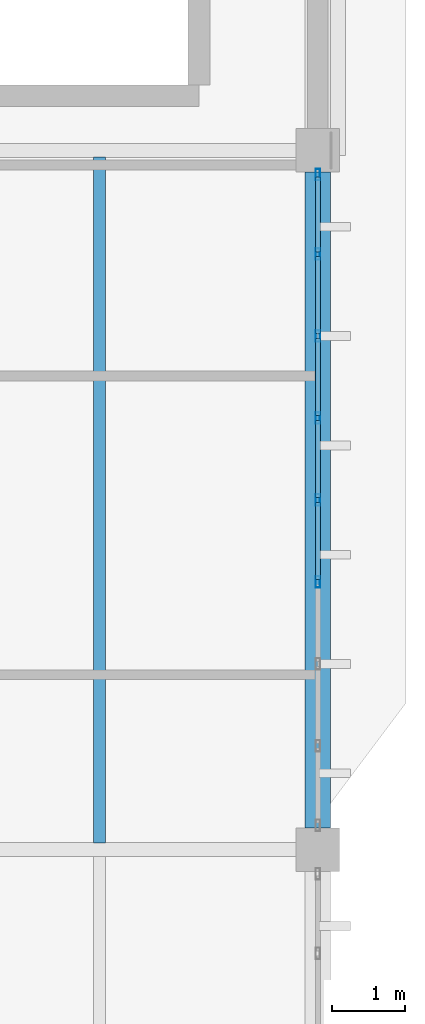
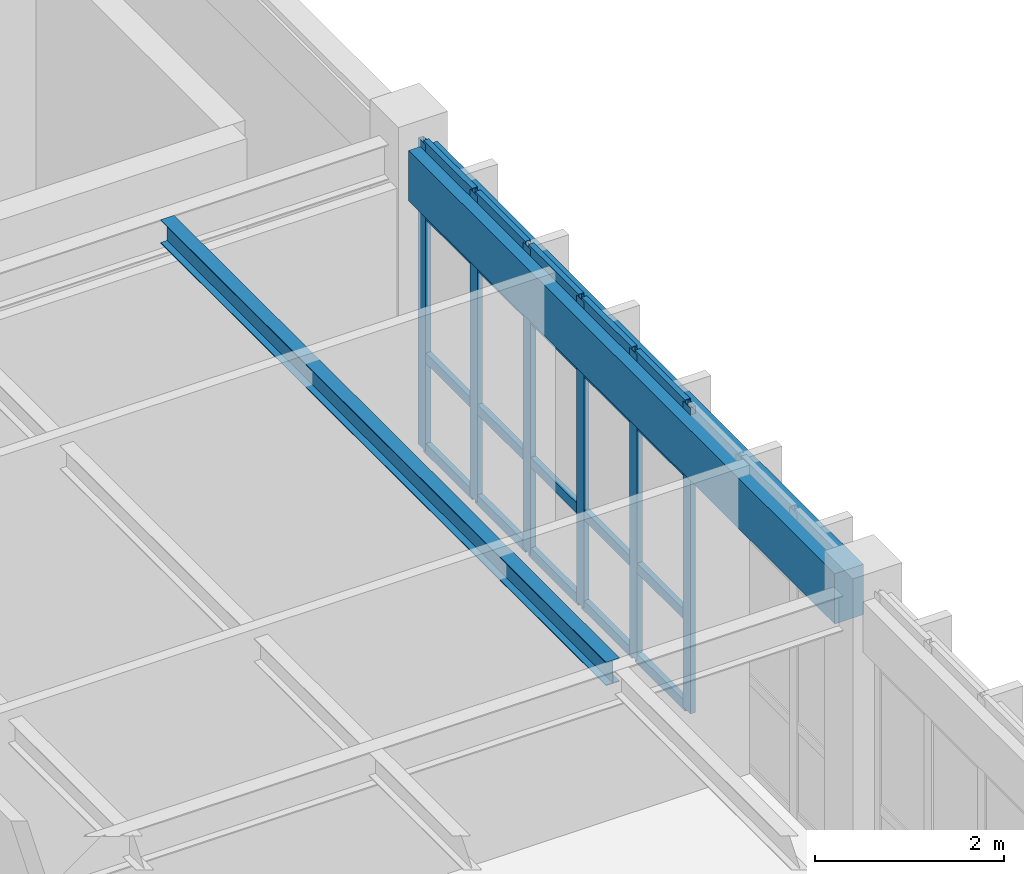
# One storey, part 18 of 28: 26 members, 2 beams, 1 element without a shape of its own.
"""IFC4 building model written with IfcOpenShell, lengths in metres."""

from ifc_helpers import new_model, si_unit, direction, frame, origin, origin_2d, place, context, subcontext, project, spatial, rectangle, hollow_rectangle, i_section, extrude, material, layer, layer_set, material_profile, profile_set, type_object, element, aggregate, save


model = new_model("IFC4")

# Units and contexts
model_context = context("Model", 3, precision=1e-05, world=origin(), true_north=direction((0.0, 1.0)))
body_context = subcontext(model_context, "Body", "Model", "MODEL_VIEW")
ifc_project = project(units=[si_unit("LENGTHUNIT", "METRE"), si_unit("AREAUNIT", "SQUARE_METRE"), si_unit("VOLUMEUNIT", "CUBIC_METRE"), si_unit("PLANEANGLEUNIT", "RADIAN"), si_unit("MASSUNIT", "GRAM", prefix="KILO")], contexts=[model_context])

# Site, building, storey
site_placement = place(None, origin())
site = spatial("IfcSite", under=ifc_project, at=site_placement, CompositionType="ELEMENT")
building_placement = place(site_placement, origin())
building = spatial("IfcBuilding", under=site, at=building_placement, Name="Pandanus Reach Market Hall", CompositionType="ELEMENT")
storey_placement = place(building_placement, frame((0.0, 0.0, 18.60009765625)))
storey = spatial("IfcBuildingStorey", under=building, at=storey_placement, Name="L04", CompositionType="ELEMENT", Elevation=18.60009765625)

# Beam
ifc_material_1 = material(Name="Concrete N40 (40 MPa)", Category="concrete")
ifc_material_profile_1 = material_profile(ifc_material_1, rectangle(XDim=0.35009765625, YDim=0.64990234375, at=origin_2d()), Name="RC350x650", Category="LoadBearing")
ifc_profile_set_1 = profile_set([ifc_material_profile_1], Name="Concrete N40 (40 MPa)")
beam_type_1 = type_object("IfcBeamType", Name="BM-RC350-E", PredefinedType="SPANDREL", material=ifc_profile_set_1)
beam_1_placement = place(storey_placement, frame((180.0, 57.89794921875, 3.534912109375), z_axis=(0.0, 1.0, 0.0), x_axis=(-1.0, 0.0, 0.0)))
element("IfcBeam", 1, at=beam_1_placement, inside=storey, type_object=beam_type_1, Name="Framing beam BM-RC350-E L04.635", PredefinedType="SPANDREL", context=body_context, shape_type="SweptSolid", body=[
    extrude(rectangle(XDim=0.35009765625, YDim=0.64990234375, at=origin_2d()), origin(), (0.0, 0.0, 1.0), 9.004150390625),
])

# Curtain wall, members
ifc_material_2 = material(Name="Bronze anodised aluminium and low-E glass", Category="aluminium")
ifc_layer = layer(ifc_material_2, 0.159912109375, Name="CW-36")
ifc_layer_set = layer_set([ifc_layer], Name="Bronze anodised aluminium and low-E glass")
curtain_wall_type = type_object("IfcCurtainWallType", Name="CW-36", PredefinedType="NOTDEFINED", material=ifc_layer_set)
curtain_wall_placement = place(storey_placement, origin())
curtain_wall = element("IfcCurtainWall", 2, at=curtain_wall_placement, inside=storey, type_object=curtain_wall_type, Name="Glazed curtain wall CW-36 CW-0132", PredefinedType="NOTDEFINED")
ifc_material_3 = material(Name="Bronze anodised aluminium", Category="aluminium")
ifc_material_profile_2 = material_profile(ifc_material_3, hollow_rectangle(XDim=0.06494140625, YDim=0.159912109375, WallThickness=0.00390625, at=origin_2d()), Name="ALU65x160", Category="LoadBearing")
ifc_profile_set_2 = profile_set([ifc_material_profile_2], Name="Bronze anodised aluminium")
member_type_1 = type_object("IfcMemberType", Name="CW-M1", PredefinedType="MULLION", material=ifc_profile_set_2)
member_1_placement = place(storey_placement, frame((180.0, 61.27490234375, 0.0), z_axis=(0.0, 0.0, 1.0), x_axis=(-1.0, 0.0, 0.0)))
member_1 = element("IfcMember", 3, at=member_1_placement, type_object=member_type_1, Name="CW-36 mullion 4", PredefinedType="MULLION", context=body_context, shape_type="SweptSolid", body=[
    extrude(hollow_rectangle(XDim=0.06494140625, YDim=0.159912109375, WallThickness=0.00390625, at=origin_2d()), origin(), (0.0, 0.0, 1.0), 3.949951171875),
])
member_2_placement = place(storey_placement, frame((180.0, 62.39990234375, 0.0), z_axis=(0.0, 0.0, 1.0), x_axis=(-1.0, 0.0, 0.0)))
member_2 = element("IfcMember", 4, at=member_2_placement, type_object=member_type_1, Name="CW-36 mullion 5", PredefinedType="MULLION", context=body_context, shape_type="SweptSolid", body=[
    extrude(hollow_rectangle(XDim=0.06494140625, YDim=0.159912109375, WallThickness=0.00390625, at=origin_2d()), origin(), (0.0, 0.0, 1.0), 3.949951171875),
])
member_3_placement = place(storey_placement, frame((180.0, 63.52490234375, 0.0), z_axis=(0.0, 0.0, 1.0), x_axis=(-1.0, 0.0, 0.0)))
member_3 = element("IfcMember", 5, at=member_3_placement, type_object=member_type_1, Name="CW-36 mullion 6", PredefinedType="MULLION", context=body_context, shape_type="SweptSolid", body=[
    extrude(hollow_rectangle(XDim=0.06494140625, YDim=0.159912109375, WallThickness=0.00390625, at=origin_2d()), origin(), (0.0, 0.0, 1.0), 3.949951171875),
])
member_4_placement = place(storey_placement, frame((180.0, 64.64990234375, 0.0), z_axis=(0.0, 0.0, 1.0), x_axis=(-1.0, 0.0, 0.0)))
member_4 = element("IfcMember", 6, at=member_4_placement, type_object=member_type_1, Name="CW-36 mullion 7", PredefinedType="MULLION", context=body_context, shape_type="SweptSolid", body=[
    extrude(hollow_rectangle(XDim=0.06494140625, YDim=0.159912109375, WallThickness=0.00390625, at=origin_2d()), origin(), (0.0, 0.0, 1.0), 3.949951171875),
])
member_5_placement = place(storey_placement, frame((180.0, 65.77490234375, 0.0), z_axis=(0.0, 0.0, 1.0), x_axis=(-1.0, 0.0, 0.0)))
member_5 = element("IfcMember", 7, at=member_5_placement, type_object=member_type_1, Name="CW-36 mullion 8", PredefinedType="MULLION", context=body_context, shape_type="SweptSolid", body=[
    extrude(hollow_rectangle(XDim=0.06494140625, YDim=0.159912109375, WallThickness=0.00390625, at=origin_2d()), origin(), (0.0, 0.0, 1.0), 3.949951171875),
])
member_6_placement = place(storey_placement, frame((180.0, 66.867431640625, 0.0), z_axis=(0.0, 0.0, 1.0), x_axis=(-1.0, 0.0, 0.0)))
member_6 = element("IfcMember", 8, at=member_6_placement, type_object=member_type_1, Name="CW-36 mullion 9", PredefinedType="MULLION", context=body_context, shape_type="SweptSolid", body=[
    extrude(hollow_rectangle(XDim=0.06494140625, YDim=0.159912109375, WallThickness=0.00390625, at=origin_2d()), origin(), (0.0, 0.0, 1.0), 3.949951171875),
])
ifc_material_profile_3 = material_profile(ifc_material_3, hollow_rectangle(XDim=0.06494140625, YDim=0.1298828125, WallThickness=0.00390625, at=origin_2d()), Name="ALU65x130", Category="LoadBearing")
ifc_profile_set_3 = profile_set([ifc_material_profile_3], Name="Bronze anodised aluminium")
member_type_2 = type_object("IfcMemberType", Name="CW-T1", PredefinedType="USERDEFINED", material=ifc_profile_set_3)
member_7_placement = place(storey_placement, frame((180.0, 61.3076171875, 0.032470703125), z_axis=(0.0, 1.0, 0.0), x_axis=(-1.0, 0.0, 0.0)))
member_7 = element("IfcMember", 9, at=member_7_placement, type_object=member_type_2, Name="CW-36 transom 4.1", ObjectType="TRANSOM", PredefinedType="USERDEFINED", context=body_context, shape_type="SweptSolid", body=[
    extrude(hollow_rectangle(XDim=0.06494140625, YDim=0.1298828125, WallThickness=0.00390625, at=origin_2d()), origin(), (0.0, 0.0, 1.0), 1.059814453125),
])
member_8_placement = place(storey_placement, frame((180.0, 61.3076171875, 1.199951171875), z_axis=(0.0, 1.0, 0.0), x_axis=(-1.0, 0.0, 0.0)))
member_8 = element("IfcMember", 10, at=member_8_placement, type_object=member_type_2, Name="CW-36 transom 4.2", ObjectType="TRANSOM", PredefinedType="USERDEFINED", context=body_context, shape_type="SweptSolid", body=[
    extrude(hollow_rectangle(XDim=0.06494140625, YDim=0.1298828125, WallThickness=0.00390625, at=origin_2d()), origin(), (0.0, 0.0, 1.0), 1.059814453125),
])
member_9_placement = place(storey_placement, frame((180.0, 61.3076171875, 3.0498046875), z_axis=(0.0, 1.0, 0.0), x_axis=(-1.0, 0.0, 0.0)))
member_9 = element("IfcMember", 11, at=member_9_placement, type_object=member_type_2, Name="CW-36 transom 4.3", ObjectType="TRANSOM", PredefinedType="USERDEFINED", context=body_context, shape_type="SweptSolid", body=[
    extrude(hollow_rectangle(XDim=0.06494140625, YDim=0.1298828125, WallThickness=0.00390625, at=origin_2d()), origin(), (0.0, 0.0, 1.0), 1.059814453125),
])
member_10_placement = place(storey_placement, frame((180.0, 61.3076171875, 3.91748046875), z_axis=(0.0, 1.0, 0.0), x_axis=(-1.0, 0.0, 0.0)))
member_10 = element("IfcMember", 12, at=member_10_placement, type_object=member_type_2, Name="CW-36 transom 4.4", ObjectType="TRANSOM", PredefinedType="USERDEFINED", context=body_context, shape_type="SweptSolid", body=[
    extrude(hollow_rectangle(XDim=0.06494140625, YDim=0.1298828125, WallThickness=0.00390625, at=origin_2d()), origin(), (0.0, 0.0, 1.0), 1.059814453125),
])
member_11_placement = place(storey_placement, frame((180.0, 62.4326171875, 0.032470703125), z_axis=(0.0, 1.0, 0.0), x_axis=(-1.0, 0.0, 0.0)))
member_11 = element("IfcMember", 13, at=member_11_placement, type_object=member_type_2, Name="CW-36 transom 5.1", ObjectType="TRANSOM", PredefinedType="USERDEFINED", context=body_context, shape_type="SweptSolid", body=[
    extrude(hollow_rectangle(XDim=0.06494140625, YDim=0.1298828125, WallThickness=0.00390625, at=origin_2d()), origin(), (0.0, 0.0, 1.0), 1.059814453125),
])
member_12_placement = place(storey_placement, frame((180.0, 62.4326171875, 1.199951171875), z_axis=(0.0, 1.0, 0.0), x_axis=(-1.0, 0.0, 0.0)))
member_12 = element("IfcMember", 14, at=member_12_placement, type_object=member_type_2, Name="CW-36 transom 5.2", ObjectType="TRANSOM", PredefinedType="USERDEFINED", context=body_context, shape_type="SweptSolid", body=[
    extrude(hollow_rectangle(XDim=0.06494140625, YDim=0.1298828125, WallThickness=0.00390625, at=origin_2d()), origin(), (0.0, 0.0, 1.0), 1.059814453125),
])
member_13_placement = place(storey_placement, frame((180.0, 62.4326171875, 3.0498046875), z_axis=(0.0, 1.0, 0.0), x_axis=(-1.0, 0.0, 0.0)))
member_13 = element("IfcMember", 15, at=member_13_placement, type_object=member_type_2, Name="CW-36 transom 5.3", ObjectType="TRANSOM", PredefinedType="USERDEFINED", context=body_context, shape_type="SweptSolid", body=[
    extrude(hollow_rectangle(XDim=0.06494140625, YDim=0.1298828125, WallThickness=0.00390625, at=origin_2d()), origin(), (0.0, 0.0, 1.0), 1.059814453125),
])
member_14_placement = place(storey_placement, frame((180.0, 62.4326171875, 3.91748046875), z_axis=(0.0, 1.0, 0.0), x_axis=(-1.0, 0.0, 0.0)))
member_14 = element("IfcMember", 16, at=member_14_placement, type_object=member_type_2, Name="CW-36 transom 5.4", ObjectType="TRANSOM", PredefinedType="USERDEFINED", context=body_context, shape_type="SweptSolid", body=[
    extrude(hollow_rectangle(XDim=0.06494140625, YDim=0.1298828125, WallThickness=0.00390625, at=origin_2d()), origin(), (0.0, 0.0, 1.0), 1.059814453125),
])
member_15_placement = place(storey_placement, frame((180.0, 63.5576171875, 0.032470703125), z_axis=(0.0, 1.0, 0.0), x_axis=(-1.0, 0.0, 0.0)))
member_15 = element("IfcMember", 17, at=member_15_placement, type_object=member_type_2, Name="CW-36 transom 6.1", ObjectType="TRANSOM", PredefinedType="USERDEFINED", context=body_context, shape_type="SweptSolid", body=[
    extrude(hollow_rectangle(XDim=0.06494140625, YDim=0.1298828125, WallThickness=0.00390625, at=origin_2d()), origin(), (0.0, 0.0, 1.0), 1.059814453125),
])
member_16_placement = place(storey_placement, frame((180.0, 63.5576171875, 1.199951171875), z_axis=(0.0, 1.0, 0.0), x_axis=(-1.0, 0.0, 0.0)))
member_16 = element("IfcMember", 18, at=member_16_placement, type_object=member_type_2, Name="CW-36 transom 6.2", ObjectType="TRANSOM", PredefinedType="USERDEFINED", context=body_context, shape_type="SweptSolid", body=[
    extrude(hollow_rectangle(XDim=0.06494140625, YDim=0.1298828125, WallThickness=0.00390625, at=origin_2d()), origin(), (0.0, 0.0, 1.0), 1.059814453125),
])
member_17_placement = place(storey_placement, frame((180.0, 63.5576171875, 3.0498046875), z_axis=(0.0, 1.0, 0.0), x_axis=(-1.0, 0.0, 0.0)))
member_17 = element("IfcMember", 19, at=member_17_placement, type_object=member_type_2, Name="CW-36 transom 6.3", ObjectType="TRANSOM", PredefinedType="USERDEFINED", context=body_context, shape_type="SweptSolid", body=[
    extrude(hollow_rectangle(XDim=0.06494140625, YDim=0.1298828125, WallThickness=0.00390625, at=origin_2d()), origin(), (0.0, 0.0, 1.0), 1.059814453125),
])
member_18_placement = place(storey_placement, frame((180.0, 63.5576171875, 3.91748046875), z_axis=(0.0, 1.0, 0.0), x_axis=(-1.0, 0.0, 0.0)))
member_18 = element("IfcMember", 20, at=member_18_placement, type_object=member_type_2, Name="CW-36 transom 6.4", ObjectType="TRANSOM", PredefinedType="USERDEFINED", context=body_context, shape_type="SweptSolid", body=[
    extrude(hollow_rectangle(XDim=0.06494140625, YDim=0.1298828125, WallThickness=0.00390625, at=origin_2d()), origin(), (0.0, 0.0, 1.0), 1.059814453125),
])
member_19_placement = place(storey_placement, frame((180.0, 64.6826171875, 0.032470703125), z_axis=(0.0, 1.0, 0.0), x_axis=(-1.0, 0.0, 0.0)))
member_19 = element("IfcMember", 21, at=member_19_placement, type_object=member_type_2, Name="CW-36 transom 7.1", ObjectType="TRANSOM", PredefinedType="USERDEFINED", context=body_context, shape_type="SweptSolid", body=[
    extrude(hollow_rectangle(XDim=0.06494140625, YDim=0.1298828125, WallThickness=0.00390625, at=origin_2d()), origin(), (0.0, 0.0, 1.0), 1.059814453125),
])
member_20_placement = place(storey_placement, frame((180.0, 64.6826171875, 1.199951171875), z_axis=(0.0, 1.0, 0.0), x_axis=(-1.0, 0.0, 0.0)))
member_20 = element("IfcMember", 22, at=member_20_placement, type_object=member_type_2, Name="CW-36 transom 7.2", ObjectType="TRANSOM", PredefinedType="USERDEFINED", context=body_context, shape_type="SweptSolid", body=[
    extrude(hollow_rectangle(XDim=0.06494140625, YDim=0.1298828125, WallThickness=0.00390625, at=origin_2d()), origin(), (0.0, 0.0, 1.0), 1.059814453125),
])
member_21_placement = place(storey_placement, frame((180.0, 64.6826171875, 3.0498046875), z_axis=(0.0, 1.0, 0.0), x_axis=(-1.0, 0.0, 0.0)))
member_21 = element("IfcMember", 23, at=member_21_placement, type_object=member_type_2, Name="CW-36 transom 7.3", ObjectType="TRANSOM", PredefinedType="USERDEFINED", context=body_context, shape_type="SweptSolid", body=[
    extrude(hollow_rectangle(XDim=0.06494140625, YDim=0.1298828125, WallThickness=0.00390625, at=origin_2d()), origin(), (0.0, 0.0, 1.0), 1.059814453125),
])
member_22_placement = place(storey_placement, frame((180.0, 64.6826171875, 3.91748046875), z_axis=(0.0, 1.0, 0.0), x_axis=(-1.0, 0.0, 0.0)))
member_22 = element("IfcMember", 24, at=member_22_placement, type_object=member_type_2, Name="CW-36 transom 7.4", ObjectType="TRANSOM", PredefinedType="USERDEFINED", context=body_context, shape_type="SweptSolid", body=[
    extrude(hollow_rectangle(XDim=0.06494140625, YDim=0.1298828125, WallThickness=0.00390625, at=origin_2d()), origin(), (0.0, 0.0, 1.0), 1.059814453125),
])
member_23_placement = place(storey_placement, frame((180.0, 65.8076171875, 0.032470703125), z_axis=(0.0, 1.0, 0.0), x_axis=(-1.0, 0.0, 0.0)))
member_23 = element("IfcMember", 25, at=member_23_placement, type_object=member_type_2, Name="CW-36 transom 8.1", ObjectType="TRANSOM", PredefinedType="USERDEFINED", context=body_context, shape_type="SweptSolid", body=[
    extrude(hollow_rectangle(XDim=0.06494140625, YDim=0.1298828125, WallThickness=0.00390625, at=origin_2d()), origin(), (0.0, 0.0, 1.0), 1.02734375),
])
member_24_placement = place(storey_placement, frame((180.0, 65.8076171875, 1.199951171875), z_axis=(0.0, 1.0, 0.0), x_axis=(-1.0, 0.0, 0.0)))
member_24 = element("IfcMember", 26, at=member_24_placement, type_object=member_type_2, Name="CW-36 transom 8.2", ObjectType="TRANSOM", PredefinedType="USERDEFINED", context=body_context, shape_type="SweptSolid", body=[
    extrude(hollow_rectangle(XDim=0.06494140625, YDim=0.1298828125, WallThickness=0.00390625, at=origin_2d()), origin(), (0.0, 0.0, 1.0), 1.02734375),
])
member_25_placement = place(storey_placement, frame((180.0, 65.8076171875, 3.0498046875), z_axis=(0.0, 1.0, 0.0), x_axis=(-1.0, 0.0, 0.0)))
member_25 = element("IfcMember", 27, at=member_25_placement, type_object=member_type_2, Name="CW-36 transom 8.3", ObjectType="TRANSOM", PredefinedType="USERDEFINED", context=body_context, shape_type="SweptSolid", body=[
    extrude(hollow_rectangle(XDim=0.06494140625, YDim=0.1298828125, WallThickness=0.00390625, at=origin_2d()), origin(), (0.0, 0.0, 1.0), 1.02734375),
])
member_26_placement = place(storey_placement, frame((180.0, 65.8076171875, 3.91748046875), z_axis=(0.0, 1.0, 0.0), x_axis=(-1.0, 0.0, 0.0)))
member_26 = element("IfcMember", 28, at=member_26_placement, type_object=member_type_2, Name="CW-36 transom 8.4", ObjectType="TRANSOM", PredefinedType="USERDEFINED", context=body_context, shape_type="SweptSolid", body=[
    extrude(hollow_rectangle(XDim=0.06494140625, YDim=0.1298828125, WallThickness=0.00390625, at=origin_2d()), origin(), (0.0, 0.0, 1.0), 1.02734375),
])
aggregate(curtain_wall, [member_1, member_2, member_3, member_4, member_5, member_6, member_7, member_8, member_9, member_10, member_11, member_12, member_13, member_14, member_15, member_16, member_17, member_18, member_19, member_20, member_21, member_22, member_23, member_24, member_25, member_26])

# Beam
ifc_material_4 = material(Name="Steel Grade 350 (350 MPa)", Category="steel")
ifc_material_profile_4 = material_profile(ifc_material_4, i_section(OverallWidth=0.1650390625, OverallDepth=0.303955078125, WebThickness=0.006103515625, FlangeThickness=0.01025390625, at=origin_2d()), Name="310UB40.4", Category="LoadBearing")
ifc_profile_set_4 = profile_set([ifc_material_profile_4], Name="Steel Grade 350 (350 MPa)")
beam_type_2 = type_object("IfcBeamType", Name="JS-UB310-I", PredefinedType="JOIST", material=ifc_profile_set_4)
beam_2_placement = place(storey_placement, frame((177.0, 57.693115234375, 3.70751953125), z_axis=(0.0, 1.0, 0.0), x_axis=(-1.0, 0.0, 0.0)))
element("IfcBeam", 29, at=beam_2_placement, inside=storey, type_object=beam_type_2, Name="Secondary joist JS-UB310-I L04.660", PredefinedType="JOIST", context=body_context, shape_type="SweptSolid", body=[
    extrude(i_section(OverallWidth=0.1650390625, OverallDepth=0.303955078125, WebThickness=0.006103515625, FlangeThickness=0.01025390625, at=origin_2d()), origin(), (0.0, 0.0, 1.0), 9.413818359375),
])

save(model, "model.ifc")
